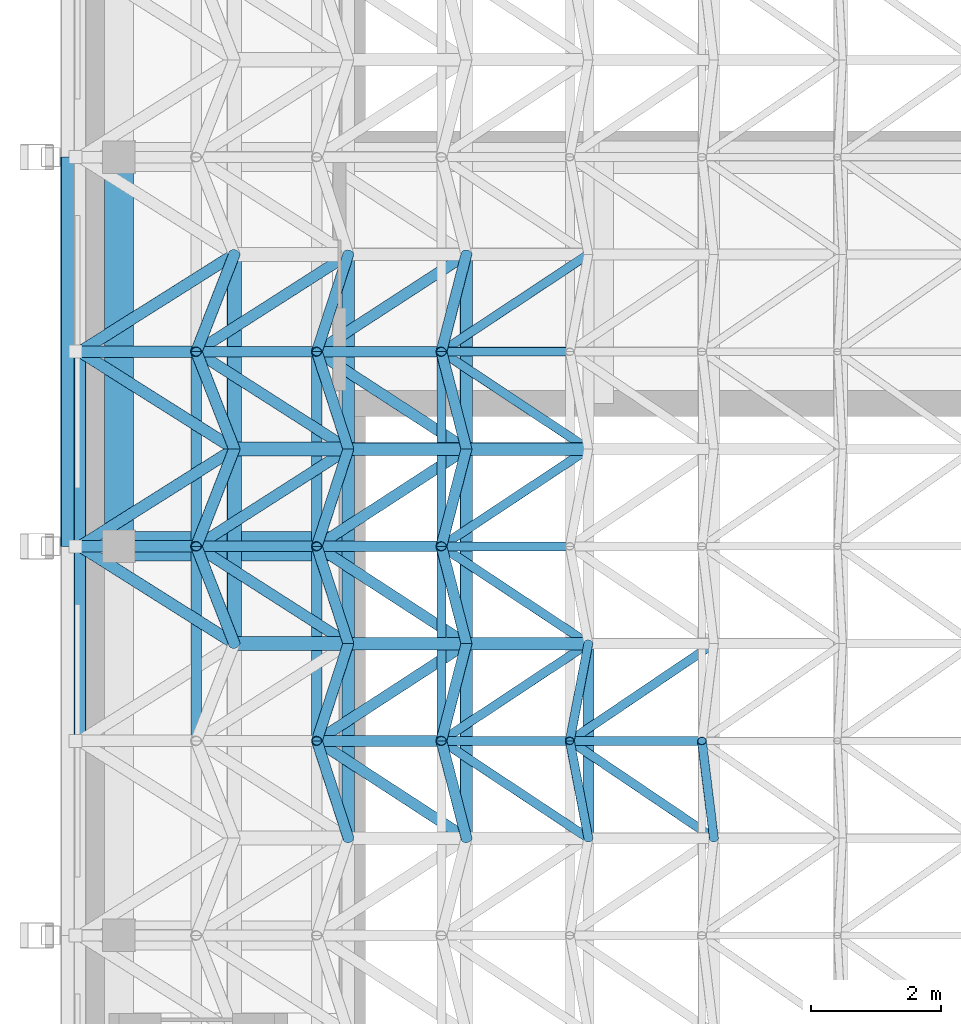
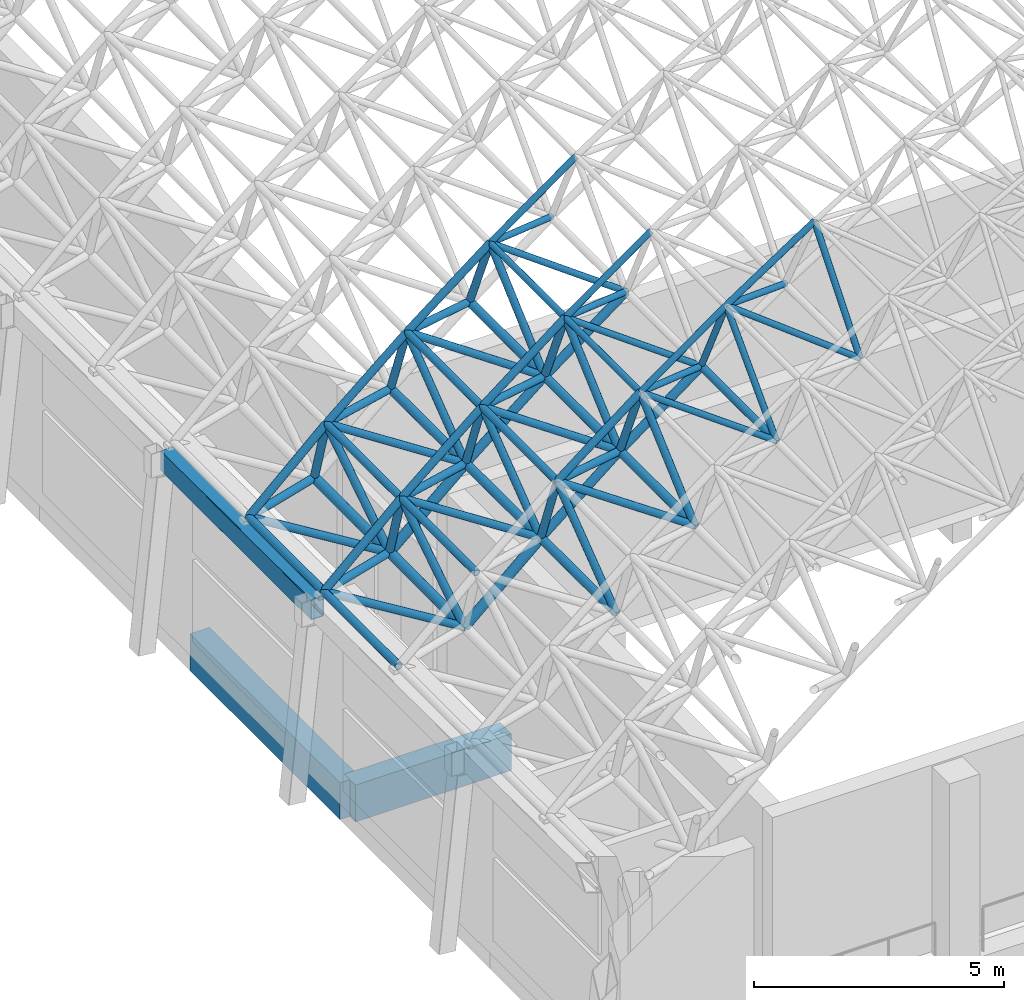
# One storey, part 10 of 141: 75 members, 3 beams.
"""IFC4 building model written with IfcOpenShell, lengths in metres."""

from ifc_helpers import new_model, si_unit, direction, frame, origin, origin_2d, place, context, subcontext, project, spatial, rectangle, hollow_rectangle, hollow_circle, extrude, material, material_profile, profile_set, type_object, element, save


model = new_model("IFC4")

# Units and contexts
model_context = context("Model", 3, precision=1e-05, world=origin(), true_north=direction((0.0, 1.0)))
body_context = subcontext(model_context, "Body", "Model", "MODEL_VIEW")
ifc_project = project(units=[si_unit("LENGTHUNIT", "METRE"), si_unit("AREAUNIT", "SQUARE_METRE"), si_unit("VOLUMEUNIT", "CUBIC_METRE"), si_unit("PLANEANGLEUNIT", "RADIAN"), si_unit("MASSUNIT", "GRAM", prefix="KILO")], contexts=[model_context])

# Site, building, storey
site_placement = place(None, origin())
site = spatial("IfcSite", under=ifc_project, at=site_placement, CompositionType="ELEMENT")
building_placement = place(site_placement, origin())
building = spatial("IfcBuilding", under=site, at=building_placement, Name="Lantern Court Media Centre", CompositionType="ELEMENT")
storey_placement = place(building_placement, frame((0.0, 0.0, 9.60009765625)))
storey = spatial("IfcBuildingStorey", under=building, at=storey_placement, Name="L02", CompositionType="ELEMENT", Elevation=9.60009765625)

# Members
ifc_material_1 = material(Name="Steel S355J2 (EN 10025-2)", Category="steel")
ifc_material_profile_1 = material_profile(ifc_material_1, hollow_circle(Radius=0.084228515625, WallThickness=0.008056640625, at=origin_2d()), Name="Cinema Hall bottom CHS 168.3x8")
ifc_profile_set_1 = profile_set([ifc_material_profile_1], Name="Steel S355J2 (EN 10025-2)")
member_type_1 = type_object("IfcMemberType", Name="Cinema Hall bottom CHS 168.3x8", PredefinedType="CHORD", material=ifc_profile_set_1)
member_1_placement = place(storey_placement, frame((7.837646484375, 5.5, 8.463623046875), z_axis=(0.0, 1.0, 0.0), x_axis=(-1.0, 0.0, 0.0)))
element("IfcMember", 1, at=member_1_placement, inside=storey, type_object=member_type_1, Name="Cinema Hall bottom chord 04-03", PredefinedType="CHORD", context=body_context, shape_type="SweptSolid", body=[
    extrude(hollow_circle(Radius=0.084228515625, WallThickness=0.008056640625, at=origin_2d()), origin(), (0.0, 0.0, 1.0), 3.0),
])
ifc_material_profile_2 = material_profile(ifc_material_1, hollow_circle(Radius=0.096923828125, WallThickness=0.010009765625, at=origin_2d()), Name="Cinema Hall bottom CHS 193.7x10")
ifc_profile_set_2 = profile_set([ifc_material_profile_2], Name="Steel S355J2 (EN 10025-2)")
member_type_2 = type_object("IfcMemberType", Name="Cinema Hall bottom CHS 193.7x10", PredefinedType="CHORD", material=ifc_profile_set_2)
for number, where, z_axis, x_axis, name in (
    (2, (4.1376953125, 5.5, 5.57275390625), (0.0, 1.0, 0.0), (-1.0, 0.0, 0.0), "Cinema Hall bottom chord 02-03"),
    (3, (4.1376953125, 8.5, 5.57275390625), (0.0, 1.0, 0.0), (-1.0, 0.0, 0.0), "Cinema Hall bottom chord 02-04"),
    (4, (4.1376953125, 11.5, 5.57275390625), (0.0, 1.0, 0.0), (-1.0, 0.0, 0.0), "Cinema Hall bottom chord 02-05"),
):
    element("IfcMember", number, at=place(storey_placement, frame(where, z_axis=z_axis, x_axis=x_axis)), inside=storey, type_object=member_type_2, Name=name, PredefinedType="CHORD", context=body_context, shape_type="SweptSolid", body=[
        extrude(hollow_circle(Radius=0.096923828125, WallThickness=0.010009765625, at=origin_2d()), origin(), (0.0, 0.0, 1.0), 3.0),
    ])
for number, where, z_axis, x_axis, name in (
    (5, (4.1376953125, 8.5, 5.57275390625), (0.775340578175, 0.0, 0.63154333805), (0.0, 1.0, 0.0), "Cinema Hall bottom chord 02-04 across"),
    (6, (4.1376953125, 11.5, 5.57275390625), (0.775340578175, 0.0, 0.63154333805), (0.0, 1.0, 0.0), "Cinema Hall bottom chord 02-05 across"),
):
    element("IfcMember", number, at=place(storey_placement, frame(where, z_axis=z_axis, x_axis=x_axis)), inside=storey, type_object=member_type_2, Name=name, PredefinedType="CHORD", context=body_context, shape_type="SweptSolid", body=[
        extrude(hollow_circle(Radius=0.096923828125, WallThickness=0.010009765625, at=origin_2d()), origin(), (0.0, 0.0, 1.0), 2.34814453125),
    ])
ifc_material_profile_3 = material_profile(ifc_material_1, hollow_circle(Radius=0.096923828125, WallThickness=0.008056640625, at=origin_2d()), Name="Cinema Hall bottom CHS 193.7x8")
ifc_profile_set_3 = profile_set([ifc_material_profile_3], Name="Steel S355J2 (EN 10025-2)")
member_type_3 = type_object("IfcMemberType", Name="Cinema Hall bottom CHS 193.7x8", PredefinedType="CHORD", material=ifc_profile_set_3)
for number, where, z_axis, x_axis, name in (
    (7, (5.958251953125, 5.5, 7.0556640625), (0.0, 1.0, 0.0), (-1.0, 0.0, 0.0), "Cinema Hall bottom chord 03-03"),
    (8, (5.958251953125, 8.5, 7.0556640625), (0.0, 1.0, 0.0), (-1.0, 0.0, 0.0), "Cinema Hall bottom chord 03-04"),
    (9, (5.958251953125, 11.5, 7.0556640625), (0.0, 1.0, 0.0), (-1.0, 0.0, 0.0), "Cinema Hall bottom chord 03-05"),
):
    element("IfcMember", number, at=place(storey_placement, frame(where, z_axis=z_axis, x_axis=x_axis)), inside=storey, type_object=member_type_3, Name=name, PredefinedType="CHORD", context=body_context, shape_type="SweptSolid", body=[
        extrude(hollow_circle(Radius=0.096923828125, WallThickness=0.008056640625, at=origin_2d()), origin(), (0.0, 0.0, 1.0), 3.0),
    ])
for number, where, z_axis, x_axis, name in (
    (10, (5.958251953125, 8.5, 7.0556640625), (0.800324254575, 0.0, 0.599567417009), (0.0, 1.0, 0.0), "Cinema Hall bottom chord 03-04 across"),
    (11, (5.958251953125, 11.5, 7.0556640625), (0.800324254575, 0.0, 0.599567417009), (0.0, 1.0, 0.0), "Cinema Hall bottom chord 03-05 across"),
):
    element("IfcMember", number, at=place(storey_placement, frame(where, z_axis=z_axis, x_axis=x_axis)), inside=storey, type_object=member_type_3, Name=name, PredefinedType="CHORD", context=body_context, shape_type="SweptSolid", body=[
        extrude(hollow_circle(Radius=0.096923828125, WallThickness=0.008056640625, at=origin_2d()), origin(), (0.0, 0.0, 1.0), 2.348388671875),
    ])
ifc_material_profile_4 = material_profile(ifc_material_1, hollow_circle(Radius=0.109619140625, WallThickness=0.010009765625, at=origin_2d()), Name="Cinema Hall bottom CHS 219.1x10")
ifc_profile_set_4 = profile_set([ifc_material_profile_4], Name="Steel S355J2 (EN 10025-2)")
member_type_4 = type_object("IfcMemberType", Name="Cinema Hall bottom CHS 219.1x10", PredefinedType="CHORD", material=ifc_profile_set_4)
for number, where, z_axis, x_axis, name in (
    (12, (2.378662109375, 8.5, 4.016845703125), (0.0, 1.0, 0.0), (-1.0, 0.0, 0.0), "Cinema Hall bottom chord 01-04"),
    (13, (2.378662109375, 11.5, 4.016845703125), (0.0, 1.0, 0.0), (-1.0, 0.0, 0.0), "Cinema Hall bottom chord 01-05"),
):
    element("IfcMember", number, at=place(storey_placement, frame(where, z_axis=z_axis, x_axis=x_axis)), inside=storey, type_object=member_type_4, Name=name, PredefinedType="CHORD", context=body_context, shape_type="SweptSolid", body=[
        extrude(hollow_circle(Radius=0.109619140625, WallThickness=0.010009765625, at=origin_2d()), origin(), (0.0, 0.0, 1.0), 3.0),
    ])
for number, where, z_axis, x_axis, name in (
    (14, (2.378662109375, 8.5, 4.016845703125), (0.749030294531, 0.0, 0.662535748375), (0.0, 1.0, 0.0), "Cinema Hall bottom chord 01-04 across"),
    (15, (2.378662109375, 11.5, 4.016845703125), (0.749030294531, 0.0, 0.662535748375), (0.0, 1.0, 0.0), "Cinema Hall bottom chord 01-05 across"),
):
    element("IfcMember", number, at=place(storey_placement, frame(where, z_axis=z_axis, x_axis=x_axis)), inside=storey, type_object=member_type_4, Name=name, PredefinedType="CHORD", context=body_context, shape_type="SweptSolid", body=[
        extrude(hollow_circle(Radius=0.109619140625, WallThickness=0.010009765625, at=origin_2d()), origin(), (0.0, 0.0, 1.0), 2.348388671875),
    ])
ifc_material_profile_5 = material_profile(ifc_material_1, hollow_circle(Radius=0.06982421875, WallThickness=0.00634765625, at=origin_2d()), Name="Cinema Hall diagonal CHS 139.7x6.3")
ifc_profile_set_5 = profile_set([ifc_material_profile_5], Name="Steel S355J2 (EN 10025-2)")
member_type_5 = type_object("IfcMemberType", Name="Cinema Hall diagonal CHS 139.7x6.3", PredefinedType="BRACE", material=ifc_profile_set_5)
member_2_placement = place(storey_placement, frame((9.772705078125, 5.5, 9.7939453125), z_axis=(-0.063147046974, 0.513874776966, 0.855537938409), x_axis=(-0.992534194664, -0.121966685705, 0.0)))
element("IfcMember", 16, at=member_2_placement, inside=storey, type_object=member_type_5, Name="Cinema Hall diagonal 05-03-3", PredefinedType="BRACE", context=body_context, shape_type="SweptSolid", body=[
    extrude(hollow_circle(Radius=0.06982421875, WallThickness=0.00634765625, at=origin_2d()), origin(), (0.0, 0.0, 1.0), 2.9189453125),
])
for number, where, z_axis, x_axis, name in (
    (17, (9.772705078125, 5.5, 9.7939453125), (-0.760744068819, 0.513853513503, 0.396513591718), (-0.559735691147, -0.828671199003, 0.0), "Cinema Hall diagonal 05-03-4"),
    (18, (9.772705078125, 8.5, 9.7939453125), (-0.760744068819, -0.513853513503, 0.396513591718), (0.559735691147, -0.828671199003, 0.0), "Cinema Hall diagonal 05-04-1"),
):
    element("IfcMember", number, at=place(storey_placement, frame(where, z_axis=z_axis, x_axis=x_axis)), inside=storey, type_object=member_type_5, Name=name, PredefinedType="BRACE", context=body_context, shape_type="SweptSolid", body=[
        extrude(hollow_circle(Radius=0.06982421875, WallThickness=0.00634765625, at=origin_2d()), origin(), (0.0, 0.0, 1.0), 2.919189453125),
    ])
ifc_material_profile_6 = material_profile(ifc_material_1, hollow_circle(Radius=0.06982421875, WallThickness=0.008056640625, at=origin_2d()), Name="Cinema Hall diagonal CHS 139.7x8")
ifc_profile_set_6 = profile_set([ifc_material_profile_6], Name="Steel S355J2 (EN 10025-2)")
member_type_6 = type_object("IfcMemberType", Name="Cinema Hall diagonal CHS 139.7x8", PredefinedType="BRACE", material=ifc_profile_set_6)
member_3_placement = place(storey_placement, frame((7.837646484375, 5.5, 8.463623046875), z_axis=(-0.09785614588, 0.51387022247, 0.852268484207), x_axis=(-0.982346962135, -0.187068025016, 0.0)))
element("IfcMember", 19, at=member_3_placement, inside=storey, type_object=member_type_6, Name="Cinema Hall diagonal 04-03-3", PredefinedType="BRACE", context=body_context, shape_type="SweptSolid", body=[
    extrude(hollow_circle(Radius=0.06982421875, WallThickness=0.008056640625, at=origin_2d()), origin(), (0.0, 0.0, 1.0), 2.9189453125),
])
for number, where, z_axis, x_axis, name in (
    (20, (7.837646484375, 5.5, 8.463623046875), (-0.776210877705, 0.513849761084, 0.365315064521), (-0.552001963744, -0.833842810141, 0.0), "Cinema Hall diagonal 04-03-4"),
    (21, (7.837646484375, 8.5, 8.463623046875), (-0.776210877705, -0.513849761084, 0.365315064521), (0.552001963744, -0.833842810141, 0.0), "Cinema Hall diagonal 04-04-1"),
):
    element("IfcMember", number, at=place(storey_placement, frame(where, z_axis=z_axis, x_axis=x_axis)), inside=storey, type_object=member_type_6, Name=name, PredefinedType="BRACE", context=body_context, shape_type="SweptSolid", body=[
        extrude(hollow_circle(Radius=0.06982421875, WallThickness=0.008056640625, at=origin_2d()), origin(), (0.0, 0.0, 1.0), 2.919189453125),
    ])
member_4_placement = place(storey_placement, frame((7.837646484375, 8.5, 8.463623046875), z_axis=(-0.09785614588, -0.51387022247, 0.852268484207), x_axis=(0.982346962135, -0.187068025016, 0.0)))
element("IfcMember", 22, at=member_4_placement, inside=storey, type_object=member_type_6, Name="Cinema Hall diagonal 04-04-2", PredefinedType="BRACE", context=body_context, shape_type="SweptSolid", body=[
    extrude(hollow_circle(Radius=0.06982421875, WallThickness=0.008056640625, at=origin_2d()), origin(), (0.0, 0.0, 1.0), 2.9189453125),
])
for number, where, z_axis, x_axis, name in (
    (23, (7.837646484375, 8.5, 8.463623046875), (-0.776210877705, 0.513849761084, 0.365315064521), (-0.552001963744, -0.833842810141, 0.0), "Cinema Hall diagonal 04-04-4"),
    (24, (7.837646484375, 11.5, 8.463623046875), (-0.776210877705, -0.513849761084, 0.365315064521), (0.552001963744, -0.833842810141, 0.0), "Cinema Hall diagonal 04-05-1"),
    (25, (7.837646484375, 11.5, 8.463623046875), (-0.776210877705, 0.513849761084, 0.365315064521), (-0.552001963744, -0.833842810141, 0.0), "Cinema Hall diagonal 04-05-4"),
    (26, (7.837646484375, 14.5, 8.463623046875), (-0.776210877705, -0.513849761084, 0.365315064521), (0.552001963744, -0.833842810141, 0.0), "Cinema Hall diagonal 04-06-1"),
):
    element("IfcMember", number, at=place(storey_placement, frame(where, z_axis=z_axis, x_axis=x_axis)), inside=storey, type_object=member_type_6, Name=name, PredefinedType="BRACE", context=body_context, shape_type="SweptSolid", body=[
        extrude(hollow_circle(Radius=0.06982421875, WallThickness=0.008056640625, at=origin_2d()), origin(), (0.0, 0.0, 1.0), 2.919189453125),
    ])
ifc_material_profile_7 = material_profile(ifc_material_1, hollow_circle(Radius=0.084228515625, WallThickness=0.010009765625, at=origin_2d()), Name="Cinema Hall diagonal CHS 168.3x10")
ifc_profile_set_7 = profile_set([ifc_material_profile_7], Name="Steel S355J2 (EN 10025-2)")
member_type_7 = type_object("IfcMemberType", Name="Cinema Hall diagonal CHS 168.3x10", PredefinedType="BRACE", material=ifc_profile_set_7)
for number, where, z_axis, x_axis, name in (
    (27, (4.1376953125, 5.5, 5.57275390625), (-0.166695380465, 0.513886812634, 0.841506383774), (-0.951206854862, -0.308553916299, 0.0), "Cinema Hall diagonal 02-03-3"),
    (28, (4.1376953125, 8.5, 5.57275390625), (-0.166695380465, -0.513886812634, 0.841506383774), (0.951206854862, -0.308553916299, 0.0), "Cinema Hall diagonal 02-04-2"),
    (29, (4.1376953125, 8.5, 5.57275390625), (-0.166695380465, 0.513886812634, 0.841506383774), (-0.951206854862, -0.308553916299, 0.0), "Cinema Hall diagonal 02-04-3"),
):
    element("IfcMember", number, at=place(storey_placement, frame(where, z_axis=z_axis, x_axis=x_axis)), inside=storey, type_object=member_type_7, Name=name, PredefinedType="BRACE", context=body_context, shape_type="SweptSolid", body=[
        extrude(hollow_circle(Radius=0.084228515625, WallThickness=0.010009765625, at=origin_2d()), origin(), (0.0, 0.0, 1.0), 2.9189453125),
    ])
for number, where, z_axis, x_axis, name in (
    (30, (4.1376953125, 8.5, 5.57275390625), (-0.803309435106, 0.513850408047, 0.301084223465), (-0.538854579896, -0.842398802068, 0.0), "Cinema Hall diagonal 02-04-4"),
    (31, (4.1376953125, 11.5, 5.57275390625), (-0.803309435106, -0.513850408047, 0.301084223465), (0.538854579896, -0.842398802068, 0.0), "Cinema Hall diagonal 02-05-1"),
):
    element("IfcMember", number, at=place(storey_placement, frame(where, z_axis=z_axis, x_axis=x_axis)), inside=storey, type_object=member_type_7, Name=name, PredefinedType="BRACE", context=body_context, shape_type="SweptSolid", body=[
        extrude(hollow_circle(Radius=0.084228515625, WallThickness=0.010009765625, at=origin_2d()), origin(), (0.0, 0.0, 1.0), 2.919189453125),
    ])
for number, where, z_axis, x_axis, name in (
    (32, (4.1376953125, 11.5, 5.57275390625), (-0.166695380465, -0.513886812634, 0.841506383774), (0.951206854862, -0.308553916299, 0.0), "Cinema Hall diagonal 02-05-2"),
    (33, (4.1376953125, 11.5, 5.57275390625), (-0.166695380465, 0.513886812634, 0.841506383774), (-0.951206854862, -0.308553916299, 0.0), "Cinema Hall diagonal 02-05-3"),
):
    element("IfcMember", number, at=place(storey_placement, frame(where, z_axis=z_axis, x_axis=x_axis)), inside=storey, type_object=member_type_7, Name=name, PredefinedType="BRACE", context=body_context, shape_type="SweptSolid", body=[
        extrude(hollow_circle(Radius=0.084228515625, WallThickness=0.010009765625, at=origin_2d()), origin(), (0.0, 0.0, 1.0), 2.9189453125),
    ])
for number, where, z_axis, x_axis, name in (
    (34, (4.1376953125, 11.5, 5.57275390625), (-0.803309435106, 0.513850408047, 0.301084223465), (-0.538854579896, -0.842398802068, 0.0), "Cinema Hall diagonal 02-05-4"),
    (35, (4.1376953125, 14.5, 5.57275390625), (-0.803309435106, -0.513850408047, 0.301084223465), (0.538854579896, -0.842398802068, 0.0), "Cinema Hall diagonal 02-06-1"),
):
    element("IfcMember", number, at=place(storey_placement, frame(where, z_axis=z_axis, x_axis=x_axis)), inside=storey, type_object=member_type_7, Name=name, PredefinedType="BRACE", context=body_context, shape_type="SweptSolid", body=[
        extrude(hollow_circle(Radius=0.084228515625, WallThickness=0.010009765625, at=origin_2d()), origin(), (0.0, 0.0, 1.0), 2.919189453125),
    ])
member_5_placement = place(storey_placement, frame((4.1376953125, 14.5, 5.57275390625), z_axis=(-0.166695380465, -0.513886812634, 0.841506383774), x_axis=(0.951206854862, -0.308553916299, 0.0)))
element("IfcMember", 36, at=member_5_placement, inside=storey, type_object=member_type_7, Name="Cinema Hall diagonal 02-06-2", PredefinedType="BRACE", context=body_context, shape_type="SweptSolid", body=[
    extrude(hollow_circle(Radius=0.084228515625, WallThickness=0.010009765625, at=origin_2d()), origin(), (0.0, 0.0, 1.0), 2.9189453125),
])
ifc_material_profile_8 = material_profile(ifc_material_1, hollow_circle(Radius=0.084228515625, WallThickness=0.008056640625, at=origin_2d()), Name="Cinema Hall diagonal CHS 168.3x8")
ifc_profile_set_8 = profile_set([ifc_material_profile_8], Name="Steel S355J2 (EN 10025-2)")
member_type_8 = type_object("IfcMemberType", Name="Cinema Hall diagonal CHS 168.3x8", PredefinedType="BRACE", material=ifc_profile_set_8)
member_6_placement = place(storey_placement, frame((5.958251953125, 5.5, 7.0556640625), z_axis=(-0.132389678542, 0.513835871739, 0.847611744804), x_axis=(-0.968374432366, -0.249501420318, 0.0)))
element("IfcMember", 37, at=member_6_placement, inside=storey, type_object=member_type_8, Name="Cinema Hall diagonal 03-03-3", PredefinedType="BRACE", context=body_context, shape_type="SweptSolid", body=[
    extrude(hollow_circle(Radius=0.084228515625, WallThickness=0.008056640625, at=origin_2d()), origin(), (0.0, 0.0, 1.0), 2.919189453125),
])
for number, where, z_axis, x_axis, name in (
    (38, (5.958251953125, 5.5, 7.0556640625), (-0.790394065187, 0.513881601747, 0.333471019884), (-0.545081898441, -0.838382802777, 0.0), "Cinema Hall diagonal 03-03-4"),
    (39, (5.958251953125, 8.5, 7.0556640625), (-0.790394065187, -0.513881601747, 0.333471019884), (0.545081898441, -0.838382802777, 0.0), "Cinema Hall diagonal 03-04-1"),
):
    element("IfcMember", number, at=place(storey_placement, frame(where, z_axis=z_axis, x_axis=x_axis)), inside=storey, type_object=member_type_8, Name=name, PredefinedType="BRACE", context=body_context, shape_type="SweptSolid", body=[
        extrude(hollow_circle(Radius=0.084228515625, WallThickness=0.008056640625, at=origin_2d()), origin(), (0.0, 0.0, 1.0), 2.9189453125),
    ])
for number, where, z_axis, x_axis, name in (
    (40, (5.958251953125, 8.5, 7.0556640625), (-0.132389678542, -0.513835871739, 0.847611744804), (0.968374432366, -0.249501420318, 0.0), "Cinema Hall diagonal 03-04-2"),
    (41, (5.958251953125, 8.5, 7.0556640625), (-0.132389678542, 0.513835871739, 0.847611744804), (-0.968374432366, -0.249501420318, 0.0), "Cinema Hall diagonal 03-04-3"),
):
    element("IfcMember", number, at=place(storey_placement, frame(where, z_axis=z_axis, x_axis=x_axis)), inside=storey, type_object=member_type_8, Name=name, PredefinedType="BRACE", context=body_context, shape_type="SweptSolid", body=[
        extrude(hollow_circle(Radius=0.084228515625, WallThickness=0.008056640625, at=origin_2d()), origin(), (0.0, 0.0, 1.0), 2.919189453125),
    ])
for number, where, z_axis, x_axis, name in (
    (42, (5.958251953125, 8.5, 7.0556640625), (-0.790394065187, 0.513881601747, 0.333471019884), (-0.545081898441, -0.838382802777, 0.0), "Cinema Hall diagonal 03-04-4"),
    (43, (5.958251953125, 11.5, 7.0556640625), (-0.790394065187, -0.513881601747, 0.333471019884), (0.545081898441, -0.838382802777, 0.0), "Cinema Hall diagonal 03-05-1"),
):
    element("IfcMember", number, at=place(storey_placement, frame(where, z_axis=z_axis, x_axis=x_axis)), inside=storey, type_object=member_type_8, Name=name, PredefinedType="BRACE", context=body_context, shape_type="SweptSolid", body=[
        extrude(hollow_circle(Radius=0.084228515625, WallThickness=0.008056640625, at=origin_2d()), origin(), (0.0, 0.0, 1.0), 2.9189453125),
    ])
for number, where, z_axis, x_axis, name in (
    (44, (5.958251953125, 11.5, 7.0556640625), (-0.132389678542, -0.513835871739, 0.847611744804), (0.968374432366, -0.249501420318, 0.0), "Cinema Hall diagonal 03-05-2"),
    (45, (5.958251953125, 11.5, 7.0556640625), (-0.132389678542, 0.513835871739, 0.847611744804), (-0.968374432366, -0.249501420318, 0.0), "Cinema Hall diagonal 03-05-3"),
):
    element("IfcMember", number, at=place(storey_placement, frame(where, z_axis=z_axis, x_axis=x_axis)), inside=storey, type_object=member_type_8, Name=name, PredefinedType="BRACE", context=body_context, shape_type="SweptSolid", body=[
        extrude(hollow_circle(Radius=0.084228515625, WallThickness=0.008056640625, at=origin_2d()), origin(), (0.0, 0.0, 1.0), 2.919189453125),
    ])
for number, where, z_axis, x_axis, name in (
    (46, (5.958251953125, 11.5, 7.0556640625), (-0.790394065187, 0.513881601747, 0.333471019884), (-0.545081898441, -0.838382802777, 0.0), "Cinema Hall diagonal 03-05-4"),
    (47, (5.958251953125, 14.5, 7.0556640625), (-0.790394065187, -0.513881601747, 0.333471019884), (0.545081898441, -0.838382802777, 0.0), "Cinema Hall diagonal 03-06-1"),
):
    element("IfcMember", number, at=place(storey_placement, frame(where, z_axis=z_axis, x_axis=x_axis)), inside=storey, type_object=member_type_8, Name=name, PredefinedType="BRACE", context=body_context, shape_type="SweptSolid", body=[
        extrude(hollow_circle(Radius=0.084228515625, WallThickness=0.008056640625, at=origin_2d()), origin(), (0.0, 0.0, 1.0), 2.9189453125),
    ])
member_7_placement = place(storey_placement, frame((5.958251953125, 14.5, 7.0556640625), z_axis=(-0.132389678542, -0.513835871739, 0.847611744804), x_axis=(0.968374432366, -0.249501420318, 0.0)))
element("IfcMember", 48, at=member_7_placement, inside=storey, type_object=member_type_8, Name="Cinema Hall diagonal 03-06-2", PredefinedType="BRACE", context=body_context, shape_type="SweptSolid", body=[
    extrude(hollow_circle(Radius=0.084228515625, WallThickness=0.008056640625, at=origin_2d()), origin(), (0.0, 0.0, 1.0), 2.919189453125),
])
ifc_material_profile_9 = material_profile(ifc_material_1, hollow_circle(Radius=0.0888671875, WallThickness=0.010009765625, at=origin_2d()), Name="Cinema Hall diagonal CHS 177.8x10")
ifc_profile_set_9 = profile_set([ifc_material_profile_9], Name="Steel S355J2 (EN 10025-2)")
member_type_9 = type_object("IfcMemberType", Name="Cinema Hall diagonal CHS 177.8x10", PredefinedType="BRACE", material=ifc_profile_set_9)
for number, where, z_axis, x_axis, name in (
    (49, (2.378662109375, 8.5, 4.016845703125), (-0.200719513512, 0.513841954591, 0.834073211773), (-0.93145734948, -0.36385052714, 0.0), "Cinema Hall diagonal 01-04-3"),
    (50, (2.378662109375, 8.5, 4.016845703125), (-0.814865608485, 0.513859622142, 0.268220671909), (-0.533404912089, -0.845860035561, 0.0), "Cinema Hall diagonal 01-04-4"),
    (51, (2.378662109375, 11.5, 4.016845703125), (-0.814865608485, -0.513859622142, 0.268220671909), (0.533404912089, -0.845860035561, 0.0), "Cinema Hall diagonal 01-05-1"),
    (52, (2.378662109375, 11.5, 4.016845703125), (-0.200719513512, -0.513841954591, 0.834073211773), (0.93145734948, -0.36385052714, 0.0), "Cinema Hall diagonal 01-05-2"),
    (53, (2.378662109375, 11.5, 4.016845703125), (-0.200719513512, 0.513841954591, 0.834073211773), (-0.93145734948, -0.36385052714, 0.0), "Cinema Hall diagonal 01-05-3"),
    (54, (2.378662109375, 11.5, 4.016845703125), (-0.814865608485, 0.513859622142, 0.268220671909), (-0.533404912089, -0.845860035561, 0.0), "Cinema Hall diagonal 01-05-4"),
    (55, (2.378662109375, 14.5, 4.016845703125), (-0.814865608485, -0.513859622142, 0.268220671909), (0.533404912089, -0.845860035561, 0.0), "Cinema Hall diagonal 01-06-1"),
    (56, (2.378662109375, 14.5, 4.016845703125), (-0.200719513512, -0.513841954591, 0.834073211773), (0.93145734948, -0.36385052714, 0.0), "Cinema Hall diagonal 01-06-2"),
):
    element("IfcMember", number, at=place(storey_placement, frame(where, z_axis=z_axis, x_axis=x_axis)), inside=storey, type_object=member_type_9, Name=name, PredefinedType="BRACE", context=body_context, shape_type="SweptSolid", body=[
        extrude(hollow_circle(Radius=0.0888671875, WallThickness=0.010009765625, at=origin_2d()), origin(), (0.0, 0.0, 1.0), 2.919189453125),
    ])

# Beam
ifc_material_profile_10 = material_profile(ifc_material_1, hollow_rectangle(XDim=0.300048828125, YDim=0.5, WallThickness=0.01611328125, InnerFilletRadius=0.01611328125, OuterFilletRadius=0.02392578125, at=origin_2d()), Name="Cinema Hall edge girder RHS 500x300x16")
ifc_profile_set_10 = profile_set([ifc_material_profile_10], Name="Steel S355J2 (EN 10025-2)")
beam_type_1 = type_object("IfcBeamType", Name="Cinema Hall edge girder RHS 500x300x16", PredefinedType="BEAM", material=ifc_profile_set_10)
beam_1_placement = place(storey_placement, frame((-0.14990234375, 10.0, 4.449951171875), z_axis=(0.0, 1.0, 0.0), x_axis=(-1.0, 0.0, 0.0)))
element("IfcBeam", 57, at=beam_1_placement, inside=storey, type_object=beam_type_1, Name="Cinema Hall edge girder west 3", PredefinedType="BEAM", context=body_context, shape_type="SweptSolid", body=[
    extrude(hollow_rectangle(XDim=0.300048828125, YDim=0.5, WallThickness=0.01611328125, InnerFilletRadius=0.01611328125, OuterFilletRadius=0.02392578125, at=origin_2d()), origin(), (0.0, 0.0, 1.0), 6.0),
])

# Members
ifc_material_profile_11 = material_profile(ifc_material_1, hollow_circle(Radius=0.06982421875, WallThickness=0.00634765625, at=origin_2d()), Name="Cinema Hall top CHS 139.7x6.3")
ifc_profile_set_11 = profile_set([ifc_material_profile_11], Name="Steel S355J2 (EN 10025-2)")
member_type_10 = type_object("IfcMemberType", Name="Cinema Hall top CHS 139.7x6.3", PredefinedType="CHORD", material=ifc_profile_set_11)
member_8_placement = place(storey_placement, frame((7.552001953125, 7.0, 10.951416015625), z_axis=(0.835394087943, 0.0, 0.549651451221), x_axis=(0.0, 1.0, 0.0)))
element("IfcMember", 58, at=member_8_placement, inside=storey, type_object=member_type_10, Name="Cinema Hall top chord 05-04 across", PredefinedType="CHORD", context=body_context, shape_type="SweptSolid", body=[
    extrude(hollow_circle(Radius=0.06982421875, WallThickness=0.00634765625, at=origin_2d()), origin(), (0.0, 0.0, 1.0), 2.437744140625),
])
ifc_material_profile_12 = material_profile(ifc_material_1, hollow_circle(Radius=0.06982421875, WallThickness=0.008056640625, at=origin_2d()), Name="Cinema Hall top CHS 139.7x8")
ifc_profile_set_12 = profile_set([ifc_material_profile_12], Name="Steel S355J2 (EN 10025-2)")
member_type_11 = type_object("IfcMemberType", Name="Cinema Hall top CHS 139.7x8", PredefinedType="CHORD", material=ifc_profile_set_12)
for number, where, z_axis, x_axis, name in (
    (59, (5.57177734375, 7.0, 9.530029296875), (0.0, 1.0, 0.0), (-1.0, 0.0, 0.0), "Cinema Hall top chord 04-04"),
    (60, (5.57177734375, 10.0, 9.530029296875), (0.0, 1.0, 0.0), (-1.0, 0.0, 0.0), "Cinema Hall top chord 04-05"),
):
    element("IfcMember", number, at=place(storey_placement, frame(where, z_axis=z_axis, x_axis=x_axis)), inside=storey, type_object=member_type_11, Name=name, PredefinedType="CHORD", context=body_context, shape_type="SweptSolid", body=[
        extrude(hollow_circle(Radius=0.06982421875, WallThickness=0.008056640625, at=origin_2d()), origin(), (0.0, 0.0, 1.0), 3.0),
    ])
for number, where, z_axis, x_axis, name in (
    (61, (5.57177734375, 7.0, 9.530029296875), (0.812384562891, 0.0, 0.583122047239), (0.0, 1.0, 0.0), "Cinema Hall top chord 04-04 across"),
    (62, (5.57177734375, 10.0, 9.530029296875), (0.812384562891, 0.0, 0.583122047239), (0.0, 1.0, 0.0), "Cinema Hall top chord 04-05 across"),
    (63, (5.57177734375, 13.0, 9.530029296875), (0.812384562891, 0.0, 0.583122047239), (0.0, 1.0, 0.0), "Cinema Hall top chord 04-06 across"),
):
    element("IfcMember", number, at=place(storey_placement, frame(where, z_axis=z_axis, x_axis=x_axis)), inside=storey, type_object=member_type_11, Name=name, PredefinedType="CHORD", context=body_context, shape_type="SweptSolid", body=[
        extrude(hollow_circle(Radius=0.06982421875, WallThickness=0.008056640625, at=origin_2d()), origin(), (0.0, 0.0, 1.0), 2.4375),
    ])
ifc_material_profile_13 = material_profile(ifc_material_1, hollow_circle(Radius=0.084228515625, WallThickness=0.010009765625, at=origin_2d()), Name="Cinema Hall top CHS 168.3x10")
ifc_profile_set_13 = profile_set([ifc_material_profile_13], Name="Steel S355J2 (EN 10025-2)")
member_type_12 = type_object("IfcMemberType", Name="Cinema Hall top CHS 168.3x10", PredefinedType="CHORD", material=ifc_profile_set_13)
for number, where, z_axis, x_axis, name in (
    (64, (1.792724609375, 7.0, 6.45166015625), (0.0, 1.0, 0.0), (-1.0, 0.0, 0.0), "Cinema Hall top chord 02-04"),
    (65, (1.792724609375, 10.0, 6.45166015625), (0.0, 1.0, 0.0), (-1.0, 0.0, 0.0), "Cinema Hall top chord 02-05"),
):
    element("IfcMember", number, at=place(storey_placement, frame(where, z_axis=z_axis, x_axis=x_axis)), inside=storey, type_object=member_type_12, Name=name, PredefinedType="CHORD", context=body_context, shape_type="SweptSolid", body=[
        extrude(hollow_circle(Radius=0.084228515625, WallThickness=0.010009765625, at=origin_2d()), origin(), (0.0, 0.0, 1.0), 3.0),
    ])
for number, where, z_axis, x_axis, name in (
    (66, (1.792724609375, 10.0, 6.45166015625), (0.762393833283, 0.0, 0.647113315403), (0.0, 1.0, 0.0), "Cinema Hall top chord 02-05 across"),
    (67, (1.792724609375, 13.0, 6.45166015625), (0.762393833283, 0.0, 0.647113315403), (0.0, 1.0, 0.0), "Cinema Hall top chord 02-06 across"),
):
    element("IfcMember", number, at=place(storey_placement, frame(where, z_axis=z_axis, x_axis=x_axis)), inside=storey, type_object=member_type_12, Name=name, PredefinedType="CHORD", context=body_context, shape_type="SweptSolid", body=[
        extrude(hollow_circle(Radius=0.084228515625, WallThickness=0.010009765625, at=origin_2d()), origin(), (0.0, 0.0, 1.0), 2.4375),
    ])
ifc_material_profile_14 = material_profile(ifc_material_1, hollow_circle(Radius=0.084228515625, WallThickness=0.008056640625, at=origin_2d()), Name="Cinema Hall top CHS 168.3x8")
ifc_profile_set_14 = profile_set([ifc_material_profile_14], Name="Steel S355J2 (EN 10025-2)")
member_type_13 = type_object("IfcMemberType", Name="Cinema Hall top CHS 168.3x8", PredefinedType="CHORD", material=ifc_profile_set_14)
for number, where, z_axis, x_axis, name in (
    (68, (3.651123046875, 7.0, 8.029052734375), (0.0, 1.0, 0.0), (-1.0, 0.0, 0.0), "Cinema Hall top chord 03-04"),
    (69, (3.651123046875, 10.0, 8.029052734375), (0.0, 1.0, 0.0), (-1.0, 0.0, 0.0), "Cinema Hall top chord 03-05"),
):
    element("IfcMember", number, at=place(storey_placement, frame(where, z_axis=z_axis, x_axis=x_axis)), inside=storey, type_object=member_type_13, Name=name, PredefinedType="CHORD", context=body_context, shape_type="SweptSolid", body=[
        extrude(hollow_circle(Radius=0.084228515625, WallThickness=0.008056640625, at=origin_2d()), origin(), (0.0, 0.0, 1.0), 3.0),
    ])
for number, where, z_axis, x_axis, name in (
    (70, (3.651123046875, 7.0, 8.029052734375), (0.787931739718, 0.0, 0.615762595117), (0.0, 1.0, 0.0), "Cinema Hall top chord 03-04 across"),
    (71, (3.651123046875, 10.0, 8.029052734375), (0.787931739718, 0.0, 0.615762595117), (0.0, 1.0, 0.0), "Cinema Hall top chord 03-05 across"),
    (72, (3.651123046875, 13.0, 8.029052734375), (0.787931739718, 0.0, 0.615762595117), (0.0, 1.0, 0.0), "Cinema Hall top chord 03-06 across"),
):
    element("IfcMember", number, at=place(storey_placement, frame(where, z_axis=z_axis, x_axis=x_axis)), inside=storey, type_object=member_type_13, Name=name, PredefinedType="CHORD", context=body_context, shape_type="SweptSolid", body=[
        extrude(hollow_circle(Radius=0.084228515625, WallThickness=0.008056640625, at=origin_2d()), origin(), (0.0, 0.0, 1.0), 2.4375),
    ])
ifc_material_profile_15 = material_profile(ifc_material_1, hollow_circle(Radius=0.0888671875, WallThickness=0.010009765625, at=origin_2d()), Name="Cinema Hall top CHS 177.8x10")
ifc_profile_set_15 = profile_set([ifc_material_profile_15], Name="Steel S355J2 (EN 10025-2)")
member_type_14 = type_object("IfcMemberType", Name="Cinema Hall top CHS 177.8x10", PredefinedType="CHORD", material=ifc_profile_set_15)
for number, where, z_axis, x_axis, name in (
    (73, (0.0, 7.0, 4.7998046875), (0.0, 1.0, 0.0), (-1.0, 0.0, 0.0), "Cinema Hall top chord 01-04"),
    (74, (0.0, 10.0, 4.7998046875), (0.0, 1.0, 0.0), (-1.0, 0.0, 0.0), "Cinema Hall top chord 01-05"),
):
    element("IfcMember", number, at=place(storey_placement, frame(where, z_axis=z_axis, x_axis=x_axis)), inside=storey, type_object=member_type_14, Name=name, PredefinedType="CHORD", context=body_context, shape_type="SweptSolid", body=[
        extrude(hollow_circle(Radius=0.0888671875, WallThickness=0.010009765625, at=origin_2d()), origin(), (0.0, 0.0, 1.0), 3.0),
    ])
for number, where, z_axis, x_axis, name in (
    (75, (0.0, 10.0, 4.7998046875), (0.735409817039, 0.0, 0.677622609572), (0.0, 1.0, 0.0), "Cinema Hall top chord 01-05 across"),
    (76, (0.0, 13.0, 4.7998046875), (0.735409817039, 0.0, 0.677622609572), (0.0, 1.0, 0.0), "Cinema Hall top chord 01-06 across"),
):
    element("IfcMember", number, at=place(storey_placement, frame(where, z_axis=z_axis, x_axis=x_axis)), inside=storey, type_object=member_type_14, Name=name, PredefinedType="CHORD", context=body_context, shape_type="SweptSolid", body=[
        extrude(hollow_circle(Radius=0.0888671875, WallThickness=0.010009765625, at=origin_2d()), origin(), (0.0, 0.0, 1.0), 2.437744140625),
    ])

# Beams
ifc_material_2 = material(Name="Concrete C35", Category="concrete")
ifc_material_profile_16 = material_profile(ifc_material_2, rectangle(XDim=0.449951171875, YDim=0.89990234375, at=origin_2d()), Name="RC 450x900")
ifc_profile_set_16 = profile_set([ifc_material_profile_16], Name="Concrete C35")
beam_type_2 = type_object("IfcBeamType", Name="RC BEAM 450x900", PredefinedType="BEAM", material=ifc_profile_set_16)
beam_2_placement = place(storey_placement, frame((0.60009765625, 10.0, -0.4501953125), z_axis=(1.0, 0.0, 0.0), x_axis=(0.0, 1.0, 0.0)))
element("IfcBeam", 77, at=beam_2_placement, inside=storey, type_object=beam_type_2, Name="HB-V1-L02-FX2-0", PredefinedType="BEAM", context=body_context, shape_type="SweptSolid", body=[
    extrude(rectangle(XDim=0.449951171875, YDim=0.89990234375, at=origin_2d()), origin(), (0.0, 0.0, 1.0), 3.599853515625),
])
beam_3_placement = place(storey_placement, frame((0.60009765625, 10.0, -0.4501953125), z_axis=(0.0, 1.0, 0.0), x_axis=(-1.0, 0.0, 0.0)))
element("IfcBeam", 78, at=beam_3_placement, inside=storey, type_object=beam_type_2, Name="HB-V1-L02-FY0-2", PredefinedType="BEAM", context=body_context, shape_type="SweptSolid", body=[
    extrude(rectangle(XDim=0.449951171875, YDim=0.89990234375, at=origin_2d()), origin(), (0.0, 0.0, 1.0), 6.0),
])

save(model, "model.ifc")
